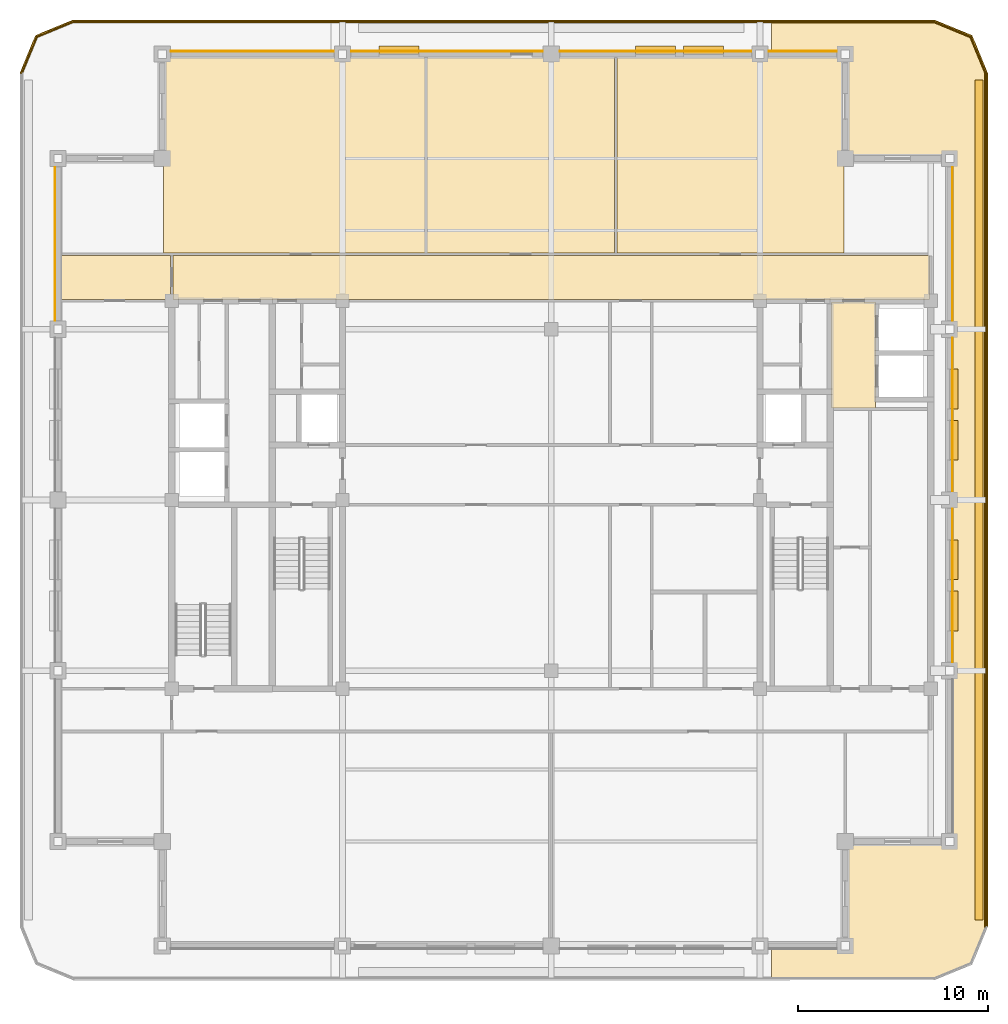
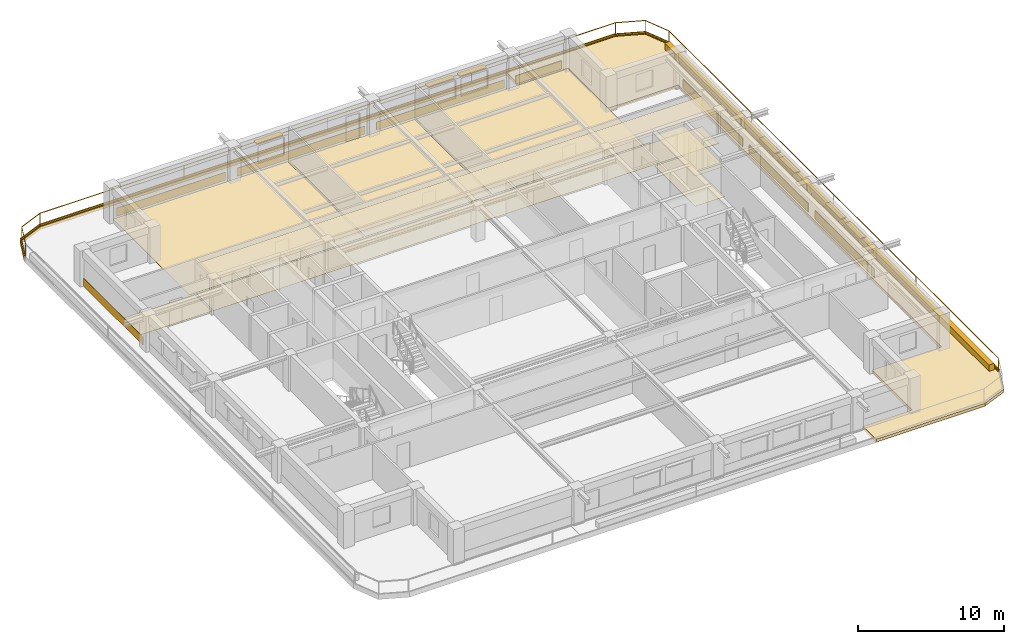
# One storey, part 11 of 11: 24 coverings, 7 shading devices, 2 railings.
"""IFC4 building model written with IfcOpenShell, lengths in metres."""

from ifc_helpers import new_model, si_unit, direction, frame, frame_2d, origin, origin_2d, place, context, subcontext, project, spatial, polyline, rectangle, outline, extrude, material, layer, layer_set, type_object, element, save


model = new_model("IFC4")

# Units and contexts
model_context = context("Model", 3, precision=1e-05, world=origin(), true_north=direction((0.0, 1.0)))
body_context = subcontext(model_context, "Body", "Model", "MODEL_VIEW")
ifc_project = project(units=[si_unit("LENGTHUNIT", "METRE"), si_unit("AREAUNIT", "SQUARE_METRE"), si_unit("VOLUMEUNIT", "CUBIC_METRE"), si_unit("PLANEANGLEUNIT", "RADIAN"), si_unit("MASSUNIT", "GRAM", prefix="KILO")], contexts=[model_context])

# Site, building, storey
site_placement = place(None, origin())
site = spatial("IfcSite", under=ifc_project, at=site_placement, CompositionType="ELEMENT")
building_placement = place(site_placement, origin())
building = spatial("IfcBuilding", under=site, at=building_placement, Name="Zulmaris Gate Convention Tower", CompositionType="ELEMENT")
storey_placement = place(building_placement, frame((0.0, 0.0, 260.889892578125)))
storey = spatial("IfcBuildingStorey", under=building, at=storey_placement, Name="L69", CompositionType="ELEMENT", Elevation=260.889892578125)

# Coverings
ifc_material_1 = material(Name="Precast concrete C40/50", Category="concrete")
ifc_layer_1 = layer(ifc_material_1, 0.0400390625, Name="Precast concrete C40/50")
ifc_layer_set_1 = layer_set([ifc_layer_1], Name="Precast concrete C40/50")
covering_type_1 = type_object("IfcCoveringType", Name="CLAD-SPANDREL-PRECAST", PredefinedType="CLADDING", material=ifc_layer_set_1)
covering_1_placement = place(storey_placement, frame((-11.455078125, 23.64990234375, 0.0), z_axis=(0.0, 0.0, 1.0), x_axis=(-1.0, 0.0, 0.0)))
element("IfcCovering", 1, at=covering_1_placement, inside=storey, type_object=covering_type_1, Name="CLD-L69-N-0_0", PredefinedType="CLADDING", context=body_context, shape_type="SweptSolid", body=[
    extrude(rectangle(XDim=8.58984375, YDim=0.0400390625, at=frame_2d((4.294921875, 0.0))), origin(), (0.0, 0.0, 1.0), 0.679931640625),
])
for number, where, z_axis, x_axis, name in (
    (2, (-0.455078125, 23.64990234375, 0.0), (0.0, 0.0, 1.0), (-1.0, 0.0, 0.0), "CLD-L69-N-1_0"),
    (3, (10.544921875, 23.64990234375, 0.0), (0.0, 0.0, 1.0), (-1.0, 0.0, 0.0), "CLD-L69-N-2_0"),
):
    element("IfcCovering", number, at=place(storey_placement, frame(where, z_axis=z_axis, x_axis=x_axis)), inside=storey, type_object=covering_type_1, Name=name, PredefinedType="CLADDING", context=body_context, shape_type="SweptSolid", body=[
        extrude(rectangle(XDim=10.08984375, YDim=0.0400390625, at=frame_2d((5.044921875, 0.0))), origin(), (0.0, 0.0, 1.0), 0.679931640625),
    ])
covering_2_placement = place(storey_placement, frame((15.044921875, 23.64990234375, 0.0), z_axis=(0.0, 0.0, 1.0), x_axis=(-1.0, 0.0, 0.0)))
element("IfcCovering", 4, at=covering_2_placement, inside=storey, type_object=covering_type_1, Name="CLD-L69-N-3_0", PredefinedType="CLADDING", context=body_context, shape_type="SweptSolid", body=[
    extrude(rectangle(XDim=3.58984375, YDim=0.0400390625, at=frame_2d((1.794921875, 0.0))), origin(), (0.0, 0.0, 1.0), 0.679931640625),
])
for number, where, z_axis, x_axis, name in (
    (5, (21.14990234375, -8.544921875, 0.0), (0.0, 0.0, 1.0), (0.0, 1.0, 0.0), "CLD-L69-E-1_0"),
    (6, (21.14990234375, 0.455078125, 0.0), (0.0, 0.0, 1.0), (0.0, 1.0, 0.0), "CLD-L69-E-2_0"),
    (7, (21.14990234375, 9.455078125, 0.0), (0.0, 0.0, 1.0), (0.0, 1.0, 0.0), "CLD-L69-E-3_0"),
    (8, (-26.14990234375, 17.544921875, 0.0), (0.0, 0.0, 1.0), (0.0, -1.0, 0.0), "CLD-L69-W-3_0"),
):
    element("IfcCovering", number, at=place(storey_placement, frame(where, z_axis=z_axis, x_axis=x_axis)), inside=storey, type_object=covering_type_1, Name=name, PredefinedType="CLADDING", context=body_context, shape_type="SweptSolid", body=[
        extrude(rectangle(XDim=8.08984375, YDim=0.0400390625, at=frame_2d((4.044921875, 0.0))), origin(), (0.0, 0.0, 1.0), 0.679931640625),
    ])
ifc_material_2 = material(Name="White Glazed Architectural Precast Concrete C40/50", Category="concrete")
ifc_layer_2 = layer(ifc_material_2, 0.239990234375, Name="White Glazed Architectural Precast Concrete C40/50")
ifc_layer_set_2 = layer_set([ifc_layer_2], Name="White Glazed Architectural Precast Concrete C40/50")
covering_type_2 = type_object("IfcCoveringType", Name="CLAD-TRAY-DECK", PredefinedType="CLADDING", material=ifc_layer_set_2)
covering_3_placement = place(storey_placement, frame((0.0, 0.0, -0.25)))
element("IfcCovering", 9, at=covering_3_placement, inside=storey, type_object=covering_type_2, Name="L69 East Rounded-Fascia Planter Tray Deck", PredefinedType="CLADDING", context=body_context, shape_type="SweptSolid", body=[
    extrude(outline(polyline([(20.199951171875, 25.300048828125), (22.179931640625, 24.47998046875), (23.0, 22.5), (23.0, -22.5), (22.179931640625, -24.47998046875), (20.199951171875, -25.300048828125), (11.60205078125, -25.300048828125), (11.60205078125, -23.5), (15.5, -23.5), (15.5, -18.0), (21.0, -18.0), (21.0, 18.0), (15.5, 18.0), (15.5, 23.5), (11.60205078125, 23.5), (11.60205078125, 25.300048828125), (20.199951171875, 25.300048828125)])), origin(), (0.0, 0.0, 1.0), 0.239990234375),
])
ifc_layer_3 = layer(ifc_material_2, 0.080078125, Name="White Glazed Architectural Precast Concrete C40/50")
ifc_layer_set_3 = layer_set([ifc_layer_3], Name="White Glazed Architectural Precast Concrete C40/50")
covering_type_3 = type_object("IfcCoveringType", Name="CLAD-TRAY-FASCIA", PredefinedType="CLADDING", material=ifc_layer_set_3)
covering_4_placement = place(storey_placement, frame((22.9599609375, -22.5, -0.2900390625), z_axis=(0.0, 0.0, 1.0), x_axis=(0.0, 1.0, 0.0)))
element("IfcCovering", 10, at=covering_4_placement, inside=storey, type_object=covering_type_3, Name="FSC-L69-TR-05", PredefinedType="CLADDING", context=body_context, shape_type="SweptSolid", body=[
    extrude(rectangle(XDim=45.0, YDim=0.080078125, at=frame_2d((22.5, 0.0))), origin(), (0.0, 0.0, 1.0), 0.43994140625),
])
covering_5_placement = place(storey_placement, frame((22.962890625, 22.484619140625, -0.2900390625), z_axis=(0.0, 0.0, 1.0), x_axis=(-0.382656984709, 0.923890487046, 0.0)))
element("IfcCovering", 11, at=covering_5_placement, inside=storey, type_object=covering_type_3, Name="FSC-L69-TR-06", PredefinedType="CLADDING", context=body_context, shape_type="SweptSolid", body=[
    extrude(rectangle(XDim=2.14306640625, YDim=0.080078125, at=frame_2d((1.071533203125, 0.0))), origin(), (0.0, 0.0, 1.0), 0.43994140625),
])
covering_6_placement = place(storey_placement, frame((22.16455078125, 24.44287109375, -0.2900390625), z_axis=(0.0, 0.0, 1.0), x_axis=(-0.923873803533, 0.382697263049, 0.0)))
element("IfcCovering", 12, at=covering_6_placement, inside=storey, type_object=covering_type_3, Name="FSC-L69-TR-07", PredefinedType="CLADDING", context=body_context, shape_type="SweptSolid", body=[
    extrude(rectangle(XDim=2.142822265625, YDim=0.080078125, at=frame_2d((1.0712890625, 0.0))), origin(), (0.0, 0.0, 1.0), 0.43994140625),
])
covering_7_placement = place(storey_placement, frame((20.199951171875, 25.260009765625, -0.2900390625), z_axis=(0.0, 0.0, 1.0), x_axis=(-1.0, 0.0, 0.0)))
element("IfcCovering", 13, at=covering_7_placement, inside=storey, type_object=covering_type_3, Name="FSC-L69-TR-08", PredefinedType="CLADDING", context=body_context, shape_type="SweptSolid", body=[
    extrude(rectangle(XDim=45.39990234375, YDim=0.080078125, at=frame_2d((22.699951171875, 0.0))), origin(), (0.0, 0.0, 1.0), 0.43994140625),
])
covering_8_placement = place(storey_placement, frame((-25.184814453125, 25.262939453125, -0.2900390625), z_axis=(0.0, 0.0, 1.0), x_axis=(-0.923873803533, -0.382697263049, 0.0)))
element("IfcCovering", 14, at=covering_8_placement, inside=storey, type_object=covering_type_3, Name="FSC-L69-TR-09", PredefinedType="CLADDING", context=body_context, shape_type="SweptSolid", body=[
    extrude(rectangle(XDim=2.142822265625, YDim=0.080078125, at=frame_2d((1.0712890625, 0.0))), origin(), (0.0, 0.0, 1.0), 0.43994140625),
])
covering_9_placement = place(storey_placement, frame((-27.142822265625, 24.464599609375, -0.2900390625), z_axis=(0.0, 0.0, 1.0), x_axis=(-0.382656984709, -0.923890487046, 0.0)))
element("IfcCovering", 15, at=covering_9_placement, inside=storey, type_object=covering_type_3, Name="FSC-L69-TR-10", PredefinedType="CLADDING", context=body_context, shape_type="SweptSolid", body=[
    extrude(rectangle(XDim=2.14306640625, YDim=0.080078125, at=frame_2d((1.071533203125, 0.0))), origin(), (0.0, 0.0, 1.0), 0.43994140625),
])
ifc_material_3 = material(Name="Mineral Fibre Acoustic Ceiling Tile")
ifc_layer_4 = layer(ifc_material_3, 0.02001953125, Name="Mineral Fibre Acoustic Ceiling Tile")
ifc_layer_set_4 = layer_set([ifc_layer_4], Name="Mineral Fibre Acoustic Ceiling Tile")
covering_type_4 = type_object("IfcCoveringType", Name="CLG-ACOUSTIC-600", PredefinedType="CEILING", material=ifc_layer_set_4)
covering_10_placement = place(storey_placement, frame((0.0, 0.0, 2.5380859375)))
element("IfcCovering", 16, at=covering_10_placement, inside=storey, type_object=covering_type_4, Name="CLG-L69-R26", PredefinedType="CEILING", context=body_context, shape_type="SweptSolid", body=[
    extrude(outline(polyline([(14.760009765625, 4.860107421875), (17.090087890625, 4.860107421875), (17.090087890625, 10.43994140625), (14.760009765625, 10.43994140625), (14.760009765625, 4.860107421875)])), origin(), (0.0, 0.0, 1.0), 0.02001953125),
])
covering_11_placement = place(storey_placement, frame((0.0, 0.0, 2.5380859375)))
element("IfcCovering", 17, at=covering_11_placement, inside=storey, type_object=covering_type_4, Name="CLG-L69-R32", PredefinedType="CEILING", context=body_context, shape_type="SweptSolid", body=[
    extrude(outline(polyline([(-19.93994140625, 10.56005859375), (19.93994140625, 10.56005859375), (19.93994140625, 12.889892578125), (-19.93994140625, 12.889892578125), (-19.93994140625, 10.56005859375)])), origin(), (0.0, 0.0, 1.0), 0.02001953125),
])
ifc_material_4 = material(Name="Woven Acoustic Wool Carpet Tile")
ifc_layer_5 = layer(ifc_material_4, 0.02001953125, Name="Woven Acoustic Wool Carpet Tile")
ifc_layer_set_5 = layer_set([ifc_layer_5], Name="Woven Acoustic Wool Carpet Tile")
covering_type_5 = type_object("IfcCoveringType", Name="FLR-CARPET-12", PredefinedType="FLOORING", material=ifc_layer_set_5)
covering_12_placement = place(storey_placement, origin())
element("IfcCovering", 18, at=covering_12_placement, inside=storey, type_object=covering_type_5, Name="FLR-L69-R26", PredefinedType="FLOORING", context=body_context, shape_type="SweptSolid", body=[
    extrude(outline(polyline([(14.760009765625, 4.860107421875), (17.090087890625, 4.860107421875), (17.090087890625, 10.43994140625), (14.760009765625, 10.43994140625), (14.760009765625, 4.860107421875)])), origin(), (0.0, 0.0, 1.0), 0.02001953125),
])
covering_13_placement = place(storey_placement, origin())
element("IfcCovering", 19, at=covering_13_placement, inside=storey, type_object=covering_type_5, Name="FLR-L69-R32", PredefinedType="FLOORING", context=body_context, shape_type="SweptSolid", body=[
    extrude(outline(polyline([(-19.93994140625, 10.56005859375), (19.93994140625, 10.56005859375), (19.93994140625, 12.889892578125), (-19.93994140625, 12.889892578125), (-19.93994140625, 10.56005859375)])), origin(), (0.0, 0.0, 1.0), 0.02001953125),
])
covering_14_placement = place(storey_placement, origin())
element("IfcCovering", 20, at=covering_14_placement, inside=storey, type_object=covering_type_5, Name="FLR-L69-R37", PredefinedType="FLOORING", context=body_context, shape_type="SweptSolid", body=[
    extrude(outline(polyline([(-20.43994140625, 13.010009765625), (-6.659912109375, 13.010009765625), (-6.659912109375, 23.43994140625), (-20.43994140625, 23.43994140625), (-20.43994140625, 13.010009765625)])), origin(), (0.0, 0.0, 1.0), 0.02001953125),
])
covering_15_placement = place(storey_placement, origin())
element("IfcCovering", 21, at=covering_15_placement, inside=storey, type_object=covering_type_5, Name="FLR-L69-R38", PredefinedType="FLOORING", context=body_context, shape_type="SweptSolid", body=[
    extrude(outline(polyline([(-6.5400390625, 13.010009765625), (3.340087890625, 13.010009765625), (3.340087890625, 23.43994140625), (-6.5400390625, 23.43994140625), (-6.5400390625, 13.010009765625)])), origin(), (0.0, 0.0, 1.0), 0.02001953125),
])
covering_16_placement = place(storey_placement, origin())
element("IfcCovering", 22, at=covering_16_placement, inside=storey, type_object=covering_type_5, Name="FLR-L69-R39", PredefinedType="FLOORING", context=body_context, shape_type="SweptSolid", body=[
    extrude(outline(polyline([(3.4599609375, 13.010009765625), (15.43994140625, 13.010009765625), (15.43994140625, 23.43994140625), (3.4599609375, 23.43994140625), (3.4599609375, 13.010009765625)])), origin(), (0.0, 0.0, 1.0), 0.02001953125),
])
covering_17_placement = place(storey_placement, origin())
element("IfcCovering", 23, at=covering_17_placement, inside=storey, type_object=covering_type_5, Name="FLR-L69-R48", PredefinedType="FLOORING", context=body_context, shape_type="SweptSolid", body=[
    extrude(outline(polyline([(-25.93994140625, 10.56005859375), (-20.06005859375, 10.56005859375), (-20.06005859375, 12.889892578125), (-25.93994140625, 12.889892578125), (-25.93994140625, 10.56005859375)])), origin(), (0.0, 0.0, 1.0), 0.02001953125),
])
ifc_material_5 = material(Name="Botanical Green Glazed Precast Concrete C40/50", Category="concrete")
ifc_layer_6 = layer(ifc_material_5, 0.419921875, Name="Botanical Green Glazed Precast Concrete C40/50")
ifc_layer_set_6 = layer_set([ifc_layer_6], Name="Botanical Green Glazed Precast Concrete C40/50")
covering_type_6 = type_object("IfcCoveringType", Name="PLANTER-BOX-200", PredefinedType="CLADDING", material=ifc_layer_set_6)
covering_18_placement = place(storey_placement, frame((0.0, 0.0, -0.010009765625)))
element("IfcCovering", 24, at=covering_18_placement, inside=storey, type_object=covering_type_6, Name="L69 E Full-Length Balcony Tree Planter Trough", PredefinedType="CLADDING", context=body_context, shape_type="SweptSolid", body=[
    extrude(outline(polyline([(22.340087890625, -22.14990234375), (22.760009765625, -22.14990234375), (22.760009765625, 22.14990234375), (22.340087890625, 22.14990234375), (22.340087890625, -22.14990234375)])), origin(), (0.0, 0.0, 1.0), 0.52001953125),
])

# Railings
ifc_material_6 = material(Name="Laminated Glass and Stainless Steel", Category="steel")
railing_type = type_object("IfcRailingType", Name="RL-BALC-1150", PredefinedType="BALUSTRADE", material=ifc_material_6)
railing_1_placement = place(storey_placement, frame((22.8798828125, -22.5, -0.010009765625)))
element("IfcRailing", 25, at=railing_1_placement, inside=storey, type_object=railing_type, Name="RL-L69-BALC-E", PredefinedType="BALUSTRADE", context=body_context, shape_type="SweptSolid", body=[
    extrude(rectangle(XDim=0.048095703125, YDim=0.048095703125, at=origin_2d()), frame((0.0, 0.0, 1.1259765625), z_axis=(0.0, 1.0, 0.0), x_axis=(-1.0, 0.0, 0.0)), (0.0, 0.0, 1.0), 45.0),
    extrude(rectangle(XDim=0.048095703125, YDim=0.048095703125, at=origin_2d()), frame((0.0, 0.0, 0.02392578125), z_axis=(0.0, 1.0, 0.0), x_axis=(-1.0, 0.0, 0.0)), (0.0, 0.0, 1.0), 45.0),
    extrude(rectangle(XDim=0.0419921875, YDim=0.0419921875, at=origin_2d()), origin(), (0.0, 0.0, 1.0), 1.101806640625),
    extrude(rectangle(XDim=0.0419921875, YDim=0.0419921875, at=origin_2d()), frame((0.0, 11.25, 0.0)), (0.0, 0.0, 1.0), 1.101806640625),
    extrude(rectangle(XDim=0.0419921875, YDim=0.0419921875, at=origin_2d()), frame((0.0, 22.5, 0.0)), (0.0, 0.0, 1.0), 1.101806640625),
    extrude(rectangle(XDim=0.0419921875, YDim=0.0419921875, at=origin_2d()), frame((0.0, 33.75, 0.0)), (0.0, 0.0, 1.0), 1.101806640625),
    extrude(rectangle(XDim=0.0419921875, YDim=0.0419921875, at=origin_2d()), frame((0.0, 45.0, 0.0)), (0.0, 0.0, 1.0), 1.101806640625),
])
railing_2_placement = place(storey_placement, frame((22.8798828125, 22.5, -0.010009765625)))
element("IfcRailing", 26, at=railing_2_placement, inside=storey, type_object=railing_type, Name="RL-L69-BALC-N", PredefinedType="BALUSTRADE", context=body_context, shape_type="SweptSolid", body=[
    extrude(rectangle(XDim=0.048095703125, YDim=0.048095703125, at=origin_2d()), frame((0.0, 0.0, 1.1259765625), z_axis=(-0.382670664694, 0.92388482095, 0.0), x_axis=(-0.92388482095, -0.382670664694, 0.0)), (0.0, 0.0, 1.0), 2.051025390625),
    extrude(rectangle(XDim=0.048095703125, YDim=0.048095703125, at=origin_2d()), frame((0.0, 0.0, 0.02392578125), z_axis=(-0.382670664694, 0.92388482095, 0.0), x_axis=(-0.92388482095, -0.382670664694, 0.0)), (0.0, 0.0, 1.0), 2.051025390625),
    extrude(rectangle(XDim=0.048095703125, YDim=0.048095703125, at=origin_2d()), frame((-0.784912109375, 1.89501953125, 1.1259765625), z_axis=(-0.92388482095, 0.382670664694, 0.0), x_axis=(-0.382670664694, -0.92388482095, 0.0)), (0.0, 0.0, 1.0), 2.051025390625),
    extrude(rectangle(XDim=0.048095703125, YDim=0.048095703125, at=origin_2d()), frame((-0.784912109375, 1.89501953125, 0.02392578125), z_axis=(-0.92388482095, 0.382670664694, 0.0), x_axis=(-0.382670664694, -0.92388482095, 0.0)), (0.0, 0.0, 1.0), 2.051025390625),
    extrude(rectangle(XDim=0.048095703125, YDim=0.048095703125, at=origin_2d()), frame((-2.679931640625, 2.679931640625, 1.1259765625), z_axis=(-1.0, 0.0, 0.0), x_axis=(0.0, -1.0, 0.0)), (0.0, 0.0, 1.0), 45.39990234375),
    extrude(rectangle(XDim=0.048095703125, YDim=0.048095703125, at=origin_2d()), frame((-2.679931640625, 2.679931640625, 0.02392578125), z_axis=(-1.0, 0.0, 0.0), x_axis=(0.0, -1.0, 0.0)), (0.0, 0.0, 1.0), 45.39990234375),
    extrude(rectangle(XDim=0.048095703125, YDim=0.048095703125, at=origin_2d()), frame((-48.079833984375, 2.679931640625, 1.1259765625), z_axis=(-0.92388482095, -0.382670664694, 0.0), x_axis=(0.382670664694, -0.92388482095, 0.0)), (0.0, 0.0, 1.0), 2.051025390625),
    extrude(rectangle(XDim=0.048095703125, YDim=0.048095703125, at=origin_2d()), frame((-48.079833984375, 2.679931640625, 0.02392578125), z_axis=(-0.92388482095, -0.382670664694, 0.0), x_axis=(0.382670664694, -0.92388482095, 0.0)), (0.0, 0.0, 1.0), 2.051025390625),
    extrude(rectangle(XDim=0.048095703125, YDim=0.048095703125, at=origin_2d()), frame((-49.974853515625, 1.89501953125, 1.1259765625), z_axis=(-0.382670664694, -0.92388482095, 0.0), x_axis=(0.92388482095, -0.382670664694, 0.0)), (0.0, 0.0, 1.0), 2.051025390625),
    extrude(rectangle(XDim=0.048095703125, YDim=0.048095703125, at=origin_2d()), frame((-49.974853515625, 1.89501953125, 0.02392578125), z_axis=(-0.382670664694, -0.92388482095, 0.0), x_axis=(0.92388482095, -0.382670664694, 0.0)), (0.0, 0.0, 1.0), 2.051025390625),
    extrude(rectangle(XDim=0.0419921875, YDim=0.0419921875, at=origin_2d()), origin(), (0.0, 0.0, 1.0), 1.101806640625),
    extrude(rectangle(XDim=0.0419921875, YDim=0.0419921875, at=origin_2d()), frame((-0.784912109375, 1.89501953125, 0.0)), (0.0, 0.0, 1.0), 1.101806640625),
    extrude(rectangle(XDim=0.0419921875, YDim=0.0419921875, at=origin_2d()), frame((-2.679931640625, 2.679931640625, 0.0)), (0.0, 0.0, 1.0), 1.101806640625),
    extrude(rectangle(XDim=0.0419921875, YDim=0.0419921875, at=origin_2d()), frame((-14.02978515625, 2.679931640625, 0.0)), (0.0, 0.0, 1.0), 1.101806640625),
    extrude(rectangle(XDim=0.0419921875, YDim=0.0419921875, at=origin_2d()), frame((-25.3798828125, 2.679931640625, 0.0)), (0.0, 0.0, 1.0), 1.101806640625),
    extrude(rectangle(XDim=0.0419921875, YDim=0.0419921875, at=origin_2d()), frame((-36.72998046875, 2.679931640625, 0.0)), (0.0, 0.0, 1.0), 1.101806640625),
    extrude(rectangle(XDim=0.0419921875, YDim=0.0419921875, at=origin_2d()), frame((-48.079833984375, 2.679931640625, 0.0)), (0.0, 0.0, 1.0), 1.101806640625),
    extrude(rectangle(XDim=0.0419921875, YDim=0.0419921875, at=origin_2d()), frame((-49.974853515625, 1.89501953125, 0.0)), (0.0, 0.0, 1.0), 1.101806640625),
    extrude(rectangle(XDim=0.0419921875, YDim=0.0419921875, at=origin_2d()), frame((-50.759765625, 0.0, 0.0)), (0.0, 0.0, 1.0), 1.101806640625),
])

# Shading devices
ifc_material_7 = material(Name="Glazed Ceramic Terracotta", Category="masonry")
ifc_layer_7 = layer(ifc_material_7, 0.070068359375, Name="Glazed Ceramic Terracotta")
ifc_layer_set_7 = layer_set([ifc_layer_7], Name="Glazed Ceramic Terracotta")
shading_device_type = type_object("IfcShadingDeviceType", Name="SHD-SUNSHADE-TC", PredefinedType="AWNING", material=ifc_layer_set_7)
for number, where, z_axis, x_axis, name in (
    (27, (-6.972900390625, 23.719970703125, 2.22998046875), (0.0, 0.0, 1.0), (-1.0, 0.0, 0.0), "SHD-EW-L69-N-1_0-3"),
    (28, (9.072998046875, 23.719970703125, 2.22998046875), (0.0, 0.0, 1.0), (-1.0, 0.0, 0.0), "SHD-EW-L69-N-2_0-1"),
    (29, (6.550048828125, 23.719970703125, 2.22998046875), (0.0, 0.0, 1.0), (-1.0, 0.0, 0.0), "SHD-EW-L69-N-2_0-2"),
):
    element("IfcShadingDevice", number, at=place(storey_placement, frame(where, z_axis=z_axis, x_axis=x_axis)), inside=storey, type_object=shading_device_type, Name=name, PredefinedType="AWNING", context=body_context, shape_type="SweptSolid", body=[
        extrude(rectangle(XDim=2.10009765625, YDim=0.43994140625, at=frame_2d((1.050048828125, 0.0))), origin(), (0.0, 0.0, 1.0), 0.070068359375),
    ])
for number, where, z_axis, x_axis, name in (
    (30, (21.219970703125, -6.89794921875, 2.22998046875), (0.0, 0.0, 1.0), (0.0, 1.0, 0.0), "SHD-EW-L69-E-1_0-1"),
    (31, (21.219970703125, -4.201904296875, 2.22998046875), (0.0, 0.0, 1.0), (0.0, 1.0, 0.0), "SHD-EW-L69-E-1_0-2"),
    (32, (21.219970703125, 2.10205078125, 2.22998046875), (0.0, 0.0, 1.0), (0.0, 1.0, 0.0), "SHD-EW-L69-E-2_0-1"),
    (33, (21.219970703125, 4.798095703125, 2.22998046875), (0.0, 0.0, 1.0), (0.0, 1.0, 0.0), "SHD-EW-L69-E-2_0-2"),
):
    element("IfcShadingDevice", number, at=place(storey_placement, frame(where, z_axis=z_axis, x_axis=x_axis)), inside=storey, type_object=shading_device_type, Name=name, PredefinedType="AWNING", context=body_context, shape_type="SweptSolid", body=[
        extrude(rectangle(XDim=2.099853515625, YDim=0.43994140625, at=frame_2d((1.0498046875, 0.0))), origin(), (0.0, 0.0, 1.0), 0.070068359375),
    ])

save(model, "model.ifc")
